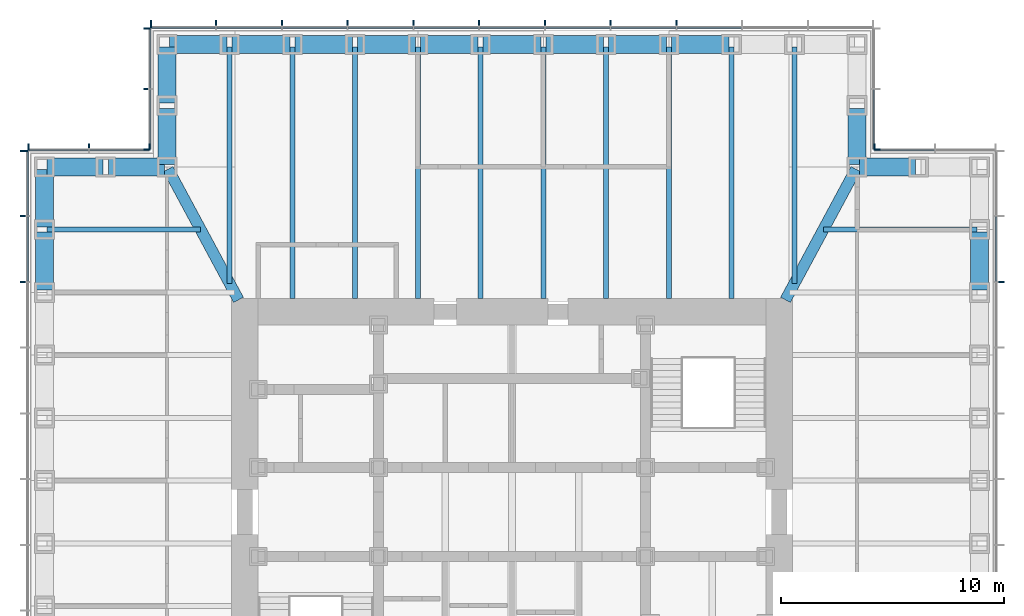
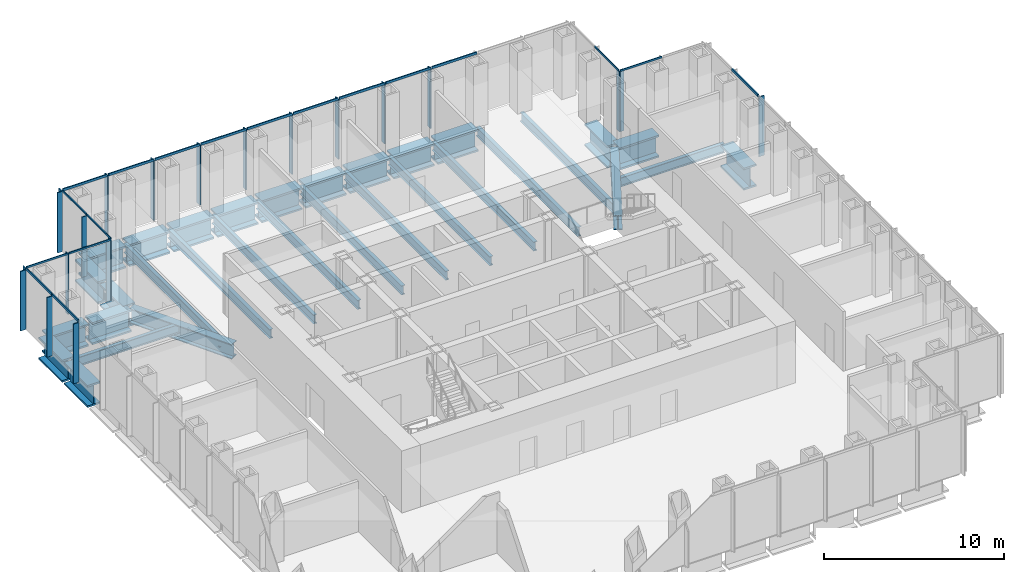
# One storey, part 5 of 16: 39 members, 32 beams, 7 elements without a shape of their own.
"""IFC4 building model written with IfcOpenShell, lengths in metres."""

from ifc_helpers import new_model, si_unit, direction, frame, origin, origin_2d, place, context, subcontext, project, spatial, rectangle, i_section, extrude, material, material_profile, profile_set, type_object, element, aggregate, save


model = new_model("IFC4")

# Units and contexts
model_context = context("Model", 3, precision=1e-05, world=origin(), true_north=direction((0.0, 1.0)))
body_context = subcontext(model_context, "Body", "Model", "MODEL_VIEW")
ifc_project = project(units=[si_unit("LENGTHUNIT", "METRE"), si_unit("AREAUNIT", "SQUARE_METRE"), si_unit("VOLUMEUNIT", "CUBIC_METRE"), si_unit("PLANEANGLEUNIT", "RADIAN"), si_unit("MASSUNIT", "GRAM", prefix="KILO")], contexts=[model_context])

# Site, building, storey
site_placement = place(None, origin())
site = spatial("IfcSite", under=ifc_project, at=site_placement, CompositionType="ELEMENT")
building_placement = place(site_placement, origin())
building = spatial("IfcBuilding", under=site, at=building_placement, Name="Daluyong Arena Tower", CompositionType="ELEMENT")
storey_placement = place(building_placement, frame((0.0, 0.0, 189.699951171875)))
storey = spatial("IfcBuildingStorey", under=building, at=storey_placement, Name="L42", CompositionType="ELEMENT", Elevation=189.699951171875)

# Curtain wall, member
ifc_material_1 = material(Name="Bronze anodised aluminium and glass", Category="aluminium")
curtain_wall_type_1 = type_object("IfcCurtainWallType", Name="Curtain wall CW3", PredefinedType="USERDEFINED", material=ifc_material_1)
curtain_wall_1_placement = place(storey_placement, origin())
curtain_wall_1 = element("IfcCurtainWall", 1, at=curtain_wall_1_placement, inside=storey, type_object=curtain_wall_type_1, Name="curtain wall L42 E", ObjectType="UNITISED CURTAIN WALL", PredefinedType="USERDEFINED")
ifc_material_2 = material(Name="Bronze anodised aluminium fin", Category="aluminium")
ifc_material_profile_1 = material_profile(ifc_material_2, rectangle(XDim=0.35009765625, YDim=0.070068359375, at=origin_2d()))
ifc_profile_set_1 = profile_set([ifc_material_profile_1], Name="Bronze anodised aluminium fin")
member_type_1 = type_object("IfcMemberType", Name="CW3 bronze fin 350x70", PredefinedType="MULLION", material=ifc_profile_set_1)
member_1_placement = place(storey_placement, frame((77.925048828125, 90.3408203125, 0.0), z_axis=(0.0, 0.0, 1.0), x_axis=(-1.0, 0.0, 0.0)))
member_1 = element("IfcMember", 2, at=member_1_placement, type_object=member_type_1, Name="curtain wall L42 E fin 10", PredefinedType="MULLION", context=body_context, shape_type="SweptSolid", body=[
    extrude(rectangle(XDim=0.35009765625, YDim=0.070068359375, at=origin_2d()), origin(), (0.0, 0.0, 1.0), 4.0400390625),
])

# Curtain wall, members
curtain_wall_2_placement = place(storey_placement, origin())
curtain_wall_2 = element("IfcCurtainWall", 3, at=curtain_wall_2_placement, inside=storey, type_object=curtain_wall_type_1, Name="curtain wall L42 N", ObjectType="UNITISED CURTAIN WALL", PredefinedType="USERDEFINED")
member_2_placement = place(storey_placement, frame((63.386474609375, 101.925048828125, 0.0), z_axis=(0.0, 0.0, 1.0), x_axis=(0.0, -1.0, 0.0)))
member_2 = element("IfcMember", 4, at=member_2_placement, type_object=member_type_1, Name="curtain wall L42 N fin 4", PredefinedType="MULLION", context=body_context, shape_type="SweptSolid", body=[
    extrude(rectangle(XDim=0.35009765625, YDim=0.070068359375, at=origin_2d()), origin(), (0.0, 0.0, 1.0), 4.0400390625),
])
member_3_placement = place(storey_placement, frame((60.431884765625, 101.925048828125, 0.0), z_axis=(0.0, 0.0, 1.0), x_axis=(0.0, -1.0, 0.0)))
member_3 = element("IfcMember", 5, at=member_3_placement, type_object=member_type_1, Name="curtain wall L42 N fin 5", PredefinedType="MULLION", context=body_context, shape_type="SweptSolid", body=[
    extrude(rectangle(XDim=0.35009765625, YDim=0.070068359375, at=origin_2d()), origin(), (0.0, 0.0, 1.0), 4.0400390625),
])
member_4_placement = place(storey_placement, frame((57.477294921875, 101.925048828125, 0.0), z_axis=(0.0, 0.0, 1.0), x_axis=(0.0, -1.0, 0.0)))
member_4 = element("IfcMember", 6, at=member_4_placement, type_object=member_type_1, Name="curtain wall L42 N fin 6", PredefinedType="MULLION", context=body_context, shape_type="SweptSolid", body=[
    extrude(rectangle(XDim=0.35009765625, YDim=0.070068359375, at=origin_2d()), origin(), (0.0, 0.0, 1.0), 4.0400390625),
])
member_5_placement = place(storey_placement, frame((54.522705078125, 101.925048828125, 0.0), z_axis=(0.0, 0.0, 1.0), x_axis=(0.0, -1.0, 0.0)))
member_5 = element("IfcMember", 7, at=member_5_placement, type_object=member_type_1, Name="curtain wall L42 N fin 7", PredefinedType="MULLION", context=body_context, shape_type="SweptSolid", body=[
    extrude(rectangle(XDim=0.35009765625, YDim=0.070068359375, at=origin_2d()), origin(), (0.0, 0.0, 1.0), 4.0400390625),
])
member_6_placement = place(storey_placement, frame((51.568115234375, 101.925048828125, 0.0), z_axis=(0.0, 0.0, 1.0), x_axis=(0.0, -1.0, 0.0)))
member_6 = element("IfcMember", 8, at=member_6_placement, type_object=member_type_1, Name="curtain wall L42 N fin 8", PredefinedType="MULLION", context=body_context, shape_type="SweptSolid", body=[
    extrude(rectangle(XDim=0.35009765625, YDim=0.070068359375, at=origin_2d()), origin(), (0.0, 0.0, 1.0), 4.0400390625),
])
member_7_placement = place(storey_placement, frame((48.613525390625, 101.925048828125, 0.0), z_axis=(0.0, 0.0, 1.0), x_axis=(0.0, -1.0, 0.0)))
member_7 = element("IfcMember", 9, at=member_7_placement, type_object=member_type_1, Name="curtain wall L42 N fin 9", PredefinedType="MULLION", context=body_context, shape_type="SweptSolid", body=[
    extrude(rectangle(XDim=0.35009765625, YDim=0.070068359375, at=origin_2d()), origin(), (0.0, 0.0, 1.0), 4.0400390625),
])
member_8_placement = place(storey_placement, frame((45.6591796875, 101.925048828125, 0.0), z_axis=(0.0, 0.0, 1.0), x_axis=(0.0, -1.0, 0.0)))
member_8 = element("IfcMember", 10, at=member_8_placement, type_object=member_type_1, Name="curtain wall L42 N fin 10", PredefinedType="MULLION", context=body_context, shape_type="SweptSolid", body=[
    extrude(rectangle(XDim=0.35009765625, YDim=0.070068359375, at=origin_2d()), origin(), (0.0, 0.0, 1.0), 4.0400390625),
])
member_9_placement = place(storey_placement, frame((42.70458984375, 101.925048828125, 0.0), z_axis=(0.0, 0.0, 1.0), x_axis=(0.0, -1.0, 0.0)))
member_9 = element("IfcMember", 11, at=member_9_placement, type_object=member_type_1, Name="curtain wall L42 N fin 11", PredefinedType="MULLION", context=body_context, shape_type="SweptSolid", body=[
    extrude(rectangle(XDim=0.35009765625, YDim=0.070068359375, at=origin_2d()), origin(), (0.0, 0.0, 1.0), 4.0400390625),
])
member_10_placement = place(storey_placement, frame((39.784912109375, 101.925048828125, 0.0), z_axis=(0.0, 0.0, 1.0), x_axis=(0.0, -1.0, 0.0)))
member_10 = element("IfcMember", 12, at=member_10_placement, type_object=member_type_1, Name="curtain wall L42 N fin 12", PredefinedType="MULLION", context=body_context, shape_type="SweptSolid", body=[
    extrude(rectangle(XDim=0.35009765625, YDim=0.070068359375, at=origin_2d()), origin(), (0.0, 0.0, 1.0), 4.0400390625),
])

curtain_wall_3_placement = place(storey_placement, origin())
curtain_wall_3 = element("IfcCurtainWall", 13, at=curtain_wall_3_placement, inside=storey, type_object=curtain_wall_type_1, Name="curtain wall L42 W", ObjectType="UNITISED CURTAIN WALL", PredefinedType="USERDEFINED")
member_11_placement = place(storey_placement, frame((34.074951171875, 96.215087890625, 0.0), z_axis=(0.0, 0.0, 1.0), x_axis=(1.0, 0.0, 0.0)))
member_11 = element("IfcMember", 14, at=member_11_placement, type_object=member_type_1, Name="curtain wall L42 W fin 1", PredefinedType="MULLION", context=body_context, shape_type="SweptSolid", body=[
    extrude(rectangle(XDim=0.35009765625, YDim=0.070068359375, at=origin_2d()), origin(), (0.0, 0.0, 1.0), 4.0400390625),
])
member_12_placement = place(storey_placement, frame((34.074951171875, 93.29541015625, 0.0), z_axis=(0.0, 0.0, 1.0), x_axis=(1.0, 0.0, 0.0)))
member_12 = element("IfcMember", 15, at=member_12_placement, type_object=member_type_1, Name="curtain wall L42 W fin 2", PredefinedType="MULLION", context=body_context, shape_type="SweptSolid", body=[
    extrude(rectangle(XDim=0.35009765625, YDim=0.070068359375, at=origin_2d()), origin(), (0.0, 0.0, 1.0), 4.0400390625),
])
member_13_placement = place(storey_placement, frame((34.074951171875, 90.3408203125, 0.0), z_axis=(0.0, 0.0, 1.0), x_axis=(1.0, 0.0, 0.0)))
member_13 = element("IfcMember", 16, at=member_13_placement, type_object=member_type_1, Name="curtain wall L42 W fin 3", PredefinedType="MULLION", context=body_context, shape_type="SweptSolid", body=[
    extrude(rectangle(XDim=0.35009765625, YDim=0.070068359375, at=origin_2d()), origin(), (0.0, 0.0, 1.0), 4.0400390625),
])

# Member
ifc_material_3 = material(Name="Bronze anodised aluminium", Category="aluminium")
ifc_material_profile_2 = material_profile(ifc_material_3, rectangle(XDim=0.070068359375, YDim=0.159912109375, at=origin_2d()))
ifc_profile_set_2 = profile_set([ifc_material_profile_2], Name="Bronze anodised aluminium")
member_type_2 = type_object("IfcMemberType", Name="CW3 stack transom 160x70", PredefinedType="USERDEFINED", material=ifc_profile_set_2)
member_14_placement = place(storey_placement, frame((77.75, 90.3759765625, 4.1201171875), z_axis=(0.0, 1.0, 0.0), x_axis=(-1.0, 0.0, 0.0)))
member_14 = element("IfcMember", 17, at=member_14_placement, type_object=member_type_2, Name="curtain wall L42 E transom 10", ObjectType="TRANSOM", PredefinedType="USERDEFINED", context=body_context, shape_type="SweptSolid", body=[
    extrude(rectangle(XDim=0.070068359375, YDim=0.159912109375, at=origin_2d()), origin(), (0.0, 0.0, 1.0), 2.884521484375),
])

aggregate(curtain_wall_1, [member_1, member_14])

member_15_placement = place(storey_placement, frame((66.305908203125, 101.75, 4.1201171875), z_axis=(-1.0, 0.0, 0.0), x_axis=(0.0, -1.0, 0.0)))
member_15 = element("IfcMember", 18, at=member_15_placement, type_object=member_type_2, Name="curtain wall L42 N transom 3", ObjectType="TRANSOM", PredefinedType="USERDEFINED", context=body_context, shape_type="SweptSolid", body=[
    extrude(rectangle(XDim=0.070068359375, YDim=0.159912109375, at=origin_2d()), origin(), (0.0, 0.0, 1.0), 2.884521484375),
])

member_16_placement = place(storey_placement, frame((63.351318359375, 101.75, 4.1201171875), z_axis=(-1.0, 0.0, 0.0), x_axis=(0.0, -1.0, 0.0)))
member_16 = element("IfcMember", 19, at=member_16_placement, type_object=member_type_2, Name="curtain wall L42 N transom 4", ObjectType="TRANSOM", PredefinedType="USERDEFINED", context=body_context, shape_type="SweptSolid", body=[
    extrude(rectangle(XDim=0.070068359375, YDim=0.159912109375, at=origin_2d()), origin(), (0.0, 0.0, 1.0), 2.884521484375),
])

member_17_placement = place(storey_placement, frame((60.396728515625, 101.75, 4.1201171875), z_axis=(-1.0, 0.0, 0.0), x_axis=(0.0, -1.0, 0.0)))
member_17 = element("IfcMember", 20, at=member_17_placement, type_object=member_type_2, Name="curtain wall L42 N transom 5", ObjectType="TRANSOM", PredefinedType="USERDEFINED", context=body_context, shape_type="SweptSolid", body=[
    extrude(rectangle(XDim=0.070068359375, YDim=0.159912109375, at=origin_2d()), origin(), (0.0, 0.0, 1.0), 2.884521484375),
])

member_18_placement = place(storey_placement, frame((57.4423828125, 101.75, 4.1201171875), z_axis=(-1.0, 0.0, 0.0), x_axis=(0.0, -1.0, 0.0)))
member_18 = element("IfcMember", 21, at=member_18_placement, type_object=member_type_2, Name="curtain wall L42 N transom 6", ObjectType="TRANSOM", PredefinedType="USERDEFINED", context=body_context, shape_type="SweptSolid", body=[
    extrude(rectangle(XDim=0.070068359375, YDim=0.159912109375, at=origin_2d()), origin(), (0.0, 0.0, 1.0), 2.884765625),
])

member_19_placement = place(storey_placement, frame((54.48779296875, 101.75, 4.1201171875), z_axis=(-1.0, 0.0, 0.0), x_axis=(0.0, -1.0, 0.0)))
member_19 = element("IfcMember", 22, at=member_19_placement, type_object=member_type_2, Name="curtain wall L42 N transom 7", ObjectType="TRANSOM", PredefinedType="USERDEFINED", context=body_context, shape_type="SweptSolid", body=[
    extrude(rectangle(XDim=0.070068359375, YDim=0.159912109375, at=origin_2d()), origin(), (0.0, 0.0, 1.0), 2.884521484375),
])

member_20_placement = place(storey_placement, frame((51.533203125, 101.75, 4.1201171875), z_axis=(-1.0, 0.0, 0.0), x_axis=(0.0, -1.0, 0.0)))
member_20 = element("IfcMember", 23, at=member_20_placement, type_object=member_type_2, Name="curtain wall L42 N transom 8", ObjectType="TRANSOM", PredefinedType="USERDEFINED", context=body_context, shape_type="SweptSolid", body=[
    extrude(rectangle(XDim=0.070068359375, YDim=0.159912109375, at=origin_2d()), origin(), (0.0, 0.0, 1.0), 2.884521484375),
])

member_21_placement = place(storey_placement, frame((48.57861328125, 101.75, 4.1201171875), z_axis=(-1.0, 0.0, 0.0), x_axis=(0.0, -1.0, 0.0)))
member_21 = element("IfcMember", 24, at=member_21_placement, type_object=member_type_2, Name="curtain wall L42 N transom 9", ObjectType="TRANSOM", PredefinedType="USERDEFINED", context=body_context, shape_type="SweptSolid", body=[
    extrude(rectangle(XDim=0.070068359375, YDim=0.159912109375, at=origin_2d()), origin(), (0.0, 0.0, 1.0), 2.884521484375),
])

member_22_placement = place(storey_placement, frame((45.6240234375, 101.75, 4.1201171875), z_axis=(-1.0, 0.0, 0.0), x_axis=(0.0, -1.0, 0.0)))
member_22 = element("IfcMember", 25, at=member_22_placement, type_object=member_type_2, Name="curtain wall L42 N transom 10", ObjectType="TRANSOM", PredefinedType="USERDEFINED", context=body_context, shape_type="SweptSolid", body=[
    extrude(rectangle(XDim=0.070068359375, YDim=0.159912109375, at=origin_2d()), origin(), (0.0, 0.0, 1.0), 2.884521484375),
])

member_23_placement = place(storey_placement, frame((42.66943359375, 101.75, 4.1201171875), z_axis=(-1.0, 0.0, 0.0), x_axis=(0.0, -1.0, 0.0)))
member_23 = element("IfcMember", 26, at=member_23_placement, type_object=member_type_2, Name="curtain wall L42 N transom 11", ObjectType="TRANSOM", PredefinedType="USERDEFINED", context=body_context, shape_type="SweptSolid", body=[
    extrude(rectangle(XDim=0.070068359375, YDim=0.159912109375, at=origin_2d()), origin(), (0.0, 0.0, 1.0), 2.849365234375),
])

aggregate(curtain_wall_2, [member_2, member_3, member_4, member_5, member_6, member_7, member_8, member_9, member_10, member_15, member_16, member_17, member_18, member_19, member_20, member_21, member_22, member_23])

member_24_placement = place(storey_placement, frame((34.25, 96.179931640625, 4.1201171875), z_axis=(0.0, -1.0, 0.0), x_axis=(1.0, 0.0, 0.0)))
member_24 = element("IfcMember", 27, at=member_24_placement, type_object=member_type_2, Name="curtain wall L42 W transom 1", ObjectType="TRANSOM", PredefinedType="USERDEFINED", context=body_context, shape_type="SweptSolid", body=[
    extrude(rectangle(XDim=0.070068359375, YDim=0.159912109375, at=origin_2d()), origin(), (0.0, 0.0, 1.0), 2.849365234375),
])

member_25_placement = place(storey_placement, frame((34.25, 93.260498046875, 4.1201171875), z_axis=(0.0, -1.0, 0.0), x_axis=(1.0, 0.0, 0.0)))
member_25 = element("IfcMember", 28, at=member_25_placement, type_object=member_type_2, Name="curtain wall L42 W transom 2", ObjectType="TRANSOM", PredefinedType="USERDEFINED", context=body_context, shape_type="SweptSolid", body=[
    extrude(rectangle(XDim=0.070068359375, YDim=0.159912109375, at=origin_2d()), origin(), (0.0, 0.0, 1.0), 2.884521484375),
])

aggregate(curtain_wall_3, [member_11, member_12, member_13, member_24, member_25])

# Curtain wall, member
ifc_material_4 = material(Name="Bronze anodised aluminium and glass", Category="aluminium")
curtain_wall_type_2 = type_object("IfcCurtainWallType", Name="Curtain wall CW7", PredefinedType="USERDEFINED", material=ifc_material_4)
curtain_wall_4_placement = place(storey_placement, origin())
curtain_wall_4 = element("IfcCurtainWall", 29, at=curtain_wall_4_placement, inside=storey, type_object=curtain_wall_type_2, Name="curtain wall L42 NE-N", ObjectType="UNITISED CURTAIN WALL", PredefinedType="USERDEFINED")
ifc_material_5 = material(Name="Bronze anodised aluminium fin", Category="aluminium")
ifc_material_profile_3 = material_profile(ifc_material_5, rectangle(XDim=0.300048828125, YDim=0.06005859375, at=origin_2d()))
ifc_profile_set_3 = profile_set([ifc_material_profile_3], Name="Bronze anodised aluminium fin")
member_type_3 = type_object("IfcMemberType", Name="CW7 bronze fin 300x60", PredefinedType="MULLION", material=ifc_profile_set_3)
member_26_placement = place(storey_placement, frame((72.280029296875, 96.39990234375, 0.0), z_axis=(0.0, 0.0, 1.0), x_axis=(0.0, -1.0, 0.0)))
member_26 = element("IfcMember", 30, at=member_26_placement, type_object=member_type_3, Name="curtain wall L42 NE-N fin 3", PredefinedType="MULLION", context=body_context, shape_type="SweptSolid", body=[
    extrude(rectangle(XDim=0.300048828125, YDim=0.06005859375, at=origin_2d()), origin(), (0.0, 0.0, 1.0), 4.080078125),
])

curtain_wall_5_placement = place(storey_placement, origin())
curtain_wall_5 = element("IfcCurtainWall", 31, at=curtain_wall_5_placement, inside=storey, type_object=curtain_wall_type_2, Name="curtain wall L42 NE-E", ObjectType="UNITISED CURTAIN WALL", PredefinedType="USERDEFINED")
member_27_placement = place(storey_placement, frame((72.39990234375, 96.280029296875, 0.0), z_axis=(0.0, 0.0, 1.0), x_axis=(-1.0, 0.0, 0.0)))
member_27 = element("IfcMember", 32, at=member_27_placement, type_object=member_type_3, Name="curtain wall L42 NE-E fin 1", PredefinedType="MULLION", context=body_context, shape_type="SweptSolid", body=[
    extrude(rectangle(XDim=0.300048828125, YDim=0.06005859375, at=origin_2d()), origin(), (0.0, 0.0, 1.0), 4.080078125),
])

# Curtain wall, members
curtain_wall_6_placement = place(storey_placement, origin())
curtain_wall_6 = element("IfcCurtainWall", 33, at=curtain_wall_6_placement, inside=storey, type_object=curtain_wall_type_2, Name="curtain wall L42 NW-W", ObjectType="UNITISED CURTAIN WALL", PredefinedType="USERDEFINED")
member_28_placement = place(storey_placement, frame((39.60009765625, 101.719970703125, 0.0), z_axis=(0.0, 0.0, 1.0), x_axis=(1.0, 0.0, 0.0)))
member_28 = element("IfcMember", 34, at=member_28_placement, type_object=member_type_3, Name="curtain wall L42 NW-W fin 1", PredefinedType="MULLION", context=body_context, shape_type="SweptSolid", body=[
    extrude(rectangle(XDim=0.300048828125, YDim=0.06005859375, at=origin_2d()), origin(), (0.0, 0.0, 1.0), 4.080078125),
])
member_29_placement = place(storey_placement, frame((39.60009765625, 99.0, 0.0), z_axis=(0.0, 0.0, 1.0), x_axis=(1.0, 0.0, 0.0)))
member_29 = element("IfcMember", 35, at=member_29_placement, type_object=member_type_3, Name="curtain wall L42 NW-W fin 2", PredefinedType="MULLION", context=body_context, shape_type="SweptSolid", body=[
    extrude(rectangle(XDim=0.300048828125, YDim=0.06005859375, at=origin_2d()), origin(), (0.0, 0.0, 1.0), 4.080078125),
])
member_30_placement = place(storey_placement, frame((39.60009765625, 96.280029296875, 0.0), z_axis=(0.0, 0.0, 1.0), x_axis=(1.0, 0.0, 0.0)))
member_30 = element("IfcMember", 36, at=member_30_placement, type_object=member_type_3, Name="curtain wall L42 NW-W fin 3", PredefinedType="MULLION", context=body_context, shape_type="SweptSolid", body=[
    extrude(rectangle(XDim=0.300048828125, YDim=0.06005859375, at=origin_2d()), origin(), (0.0, 0.0, 1.0), 4.080078125),
])

curtain_wall_7_placement = place(storey_placement, origin())
curtain_wall_7 = element("IfcCurtainWall", 37, at=curtain_wall_7_placement, inside=storey, type_object=curtain_wall_type_2, Name="curtain wall L42 NW-N", ObjectType="UNITISED CURTAIN WALL", PredefinedType="USERDEFINED")
member_31_placement = place(storey_placement, frame((39.719970703125, 96.39990234375, 0.0), z_axis=(0.0, 0.0, 1.0), x_axis=(0.0, -1.0, 0.0)))
member_31 = element("IfcMember", 38, at=member_31_placement, type_object=member_type_3, Name="curtain wall L42 NW-N fin 1", PredefinedType="MULLION", context=body_context, shape_type="SweptSolid", body=[
    extrude(rectangle(XDim=0.300048828125, YDim=0.06005859375, at=origin_2d()), origin(), (0.0, 0.0, 1.0), 4.080078125),
])
member_32_placement = place(storey_placement, frame((37.0, 96.39990234375, 0.0), z_axis=(0.0, 0.0, 1.0), x_axis=(0.0, -1.0, 0.0)))
member_32 = element("IfcMember", 39, at=member_32_placement, type_object=member_type_3, Name="curtain wall L42 NW-N fin 2", PredefinedType="MULLION", context=body_context, shape_type="SweptSolid", body=[
    extrude(rectangle(XDim=0.300048828125, YDim=0.06005859375, at=origin_2d()), origin(), (0.0, 0.0, 1.0), 4.080078125),
])
member_33_placement = place(storey_placement, frame((34.280029296875, 96.39990234375, 0.0), z_axis=(0.0, 0.0, 1.0), x_axis=(0.0, -1.0, 0.0)))
member_33 = element("IfcMember", 40, at=member_33_placement, type_object=member_type_3, Name="curtain wall L42 NW-N fin 3", PredefinedType="MULLION", context=body_context, shape_type="SweptSolid", body=[
    extrude(rectangle(XDim=0.300048828125, YDim=0.06005859375, at=origin_2d()), origin(), (0.0, 0.0, 1.0), 4.080078125),
])

# Member
ifc_material_6 = material(Name="Bronze anodised aluminium", Category="aluminium")
ifc_material_profile_4 = material_profile(ifc_material_6, rectangle(XDim=0.06005859375, YDim=0.1201171875, at=origin_2d()))
ifc_profile_set_4 = profile_set([ifc_material_profile_4], Name="Bronze anodised aluminium")
member_type_4 = type_object("IfcMemberType", Name="CW7 stack transom 120x60", PredefinedType="USERDEFINED", material=ifc_profile_set_4)
member_34_placement = place(storey_placement, frame((74.969970703125, 96.25, 4.14013671875), z_axis=(-1.0, 0.0, 0.0), x_axis=(0.0, -1.0, 0.0)))
member_34 = element("IfcMember", 41, at=member_34_placement, type_object=member_type_4, Name="curtain wall L42 NE-N transom 2", ObjectType="TRANSOM", PredefinedType="USERDEFINED", context=body_context, shape_type="SweptSolid", body=[
    extrude(rectangle(XDim=0.06005859375, YDim=0.1201171875, at=origin_2d()), origin(), (0.0, 0.0, 1.0), 2.659912109375),
])

aggregate(curtain_wall_4, [member_26, member_34])

member_35_placement = place(storey_placement, frame((72.25, 96.31005859375, 4.14013671875), z_axis=(0.0, 1.0, 0.0), x_axis=(-1.0, 0.0, 0.0)))
member_35 = element("IfcMember", 42, at=member_35_placement, type_object=member_type_4, Name="curtain wall L42 NE-E transom 1", ObjectType="TRANSOM", PredefinedType="USERDEFINED", context=body_context, shape_type="SweptSolid", body=[
    extrude(rectangle(XDim=0.06005859375, YDim=0.1201171875, at=origin_2d()), origin(), (0.0, 0.0, 1.0), 2.659912109375),
])

aggregate(curtain_wall_5, [member_27, member_35])

member_36_placement = place(storey_placement, frame((39.75, 101.68994140625, 4.14013671875), z_axis=(0.0, -1.0, 0.0), x_axis=(1.0, 0.0, 0.0)))
member_36 = element("IfcMember", 43, at=member_36_placement, type_object=member_type_4, Name="curtain wall L42 NW-W transom 1", ObjectType="TRANSOM", PredefinedType="USERDEFINED", context=body_context, shape_type="SweptSolid", body=[
    extrude(rectangle(XDim=0.06005859375, YDim=0.1201171875, at=origin_2d()), origin(), (0.0, 0.0, 1.0), 2.659912109375),
])

member_37_placement = place(storey_placement, frame((39.75, 98.969970703125, 4.14013671875), z_axis=(0.0, -1.0, 0.0), x_axis=(1.0, 0.0, 0.0)))
member_37 = element("IfcMember", 44, at=member_37_placement, type_object=member_type_4, Name="curtain wall L42 NW-W transom 2", ObjectType="TRANSOM", PredefinedType="USERDEFINED", context=body_context, shape_type="SweptSolid", body=[
    extrude(rectangle(XDim=0.06005859375, YDim=0.1201171875, at=origin_2d()), origin(), (0.0, 0.0, 1.0), 2.659912109375),
])

aggregate(curtain_wall_6, [member_28, member_29, member_30, member_36, member_37])

member_38_placement = place(storey_placement, frame((39.68994140625, 96.25, 4.14013671875), z_axis=(-1.0, 0.0, 0.0), x_axis=(0.0, -1.0, 0.0)))
member_38 = element("IfcMember", 45, at=member_38_placement, type_object=member_type_4, Name="curtain wall L42 NW-N transom 1", ObjectType="TRANSOM", PredefinedType="USERDEFINED", context=body_context, shape_type="SweptSolid", body=[
    extrude(rectangle(XDim=0.06005859375, YDim=0.1201171875, at=origin_2d()), origin(), (0.0, 0.0, 1.0), 2.659912109375),
])

member_39_placement = place(storey_placement, frame((36.969970703125, 96.25, 4.14013671875), z_axis=(-1.0, 0.0, 0.0), x_axis=(0.0, -1.0, 0.0)))
member_39 = element("IfcMember", 46, at=member_39_placement, type_object=member_type_4, Name="curtain wall L42 NW-N transom 2", ObjectType="TRANSOM", PredefinedType="USERDEFINED", context=body_context, shape_type="SweptSolid", body=[
    extrude(rectangle(XDim=0.06005859375, YDim=0.1201171875, at=origin_2d()), origin(), (0.0, 0.0, 1.0), 2.659912109375),
])

aggregate(curtain_wall_7, [member_31, member_32, member_33, member_38, member_39])

# Beams
ifc_material_7 = material(Name="Steel ASTM A572 Grade 50", Category="steel")
ifc_material_profile_5 = material_profile(ifc_material_7, i_section(OverallWidth=0.5, OverallDepth=1.0, WebThickness=0.03, FlangeThickness=0.06, at=origin_2d()))
ifc_profile_set_5 = profile_set([ifc_material_profile_5], Name="Steel ASTM A572 Grade 50")
beam_type_1 = type_object("IfcBeamType", Name="Corner girder TB1000X500", PredefinedType="BEAM", material=ifc_profile_set_5)
for number, where, z_axis, x_axis, name in (
    (47, (71.445556640625, 95.398681640625, -0.659912109375), (-0.474119475266, -0.880460517669, 0.0), (0.880460517669, -0.474119475266, 0.0), "corner girder DG2"),
    (48, (40.554443359375, 95.398681640625, -0.659912109375), (0.474119475266, -0.880460517669, 0.0), (0.880460517669, 0.474119475266, 0.0), "corner girder DG2"),
):
    element("IfcBeam", number, at=place(storey_placement, frame(where, z_axis=z_axis, x_axis=x_axis)), inside=storey, type_object=beam_type_1, Name=name, PredefinedType="BEAM", context=body_context, shape_type="SweptSolid", body=[
        extrude(i_section(OverallWidth=0.5, OverallDepth=1.0, WebThickness=0.03, FlangeThickness=0.06, at=origin_2d()), origin(), (0.0, 0.0, 1.0), 6.66748046875),
    ])
ifc_material_8 = material(Name="Steel ASTM A992 Grade 50", Category="steel")
ifc_material_profile_6 = material_profile(ifc_material_8, i_section(OverallWidth=0.22900390625, OverallDepth=0.612060546875, WebThickness=0.011962890625, FlangeThickness=0.01953125, at=origin_2d()))
ifc_profile_set_6 = profile_set([ifc_material_profile_6], Name="Steel ASTM A992 Grade 50")
beam_type_2 = type_object("IfcBeamType", Name="Floor beam W24X84", PredefinedType="BEAM", material=ifc_profile_set_6)
beam_1_placement = place(storey_placement, frame((76.885009765625, 92.681884765625, -0.466064453125), z_axis=(-1.0, 0.0, 0.0), x_axis=(0.0, -1.0, 0.0)))
element("IfcBeam", 49, at=beam_1_placement, inside=storey, type_object=beam_type_2, Name="floor beam FB3", PredefinedType="BEAM", context=body_context, shape_type="SweptSolid", body=[
    extrude(i_section(OverallWidth=0.22900390625, OverallDepth=0.612060546875, WebThickness=0.011962890625, FlangeThickness=0.01953125, at=origin_2d()), origin(), (0.0, 0.0, 1.0), 6.902587890625),
])
beam_2_placement = place(storey_placement, frame((68.681884765625, 100.885009765625, -0.466064453125), z_axis=(0.0, -1.0, 0.0), x_axis=(1.0, 0.0, 0.0)))
element("IfcBeam", 50, at=beam_2_placement, inside=storey, type_object=beam_type_2, Name="floor beam FB3", PredefinedType="BEAM", context=body_context, shape_type="SweptSolid", body=[
    extrude(i_section(OverallWidth=0.22900390625, OverallDepth=0.612060546875, WebThickness=0.011962890625, FlangeThickness=0.01953125, at=origin_2d()), origin(), (0.0, 0.0, 1.0), 10.618896484375),
])
for number, where, z_axis, x_axis, name in (
    (51, (65.863525390625, 100.885009765625, -0.466064453125), (0.0, -1.0, 0.0), (1.0, 0.0, 0.0), "floor beam FB3"),
    (52, (63.04541015625, 100.885009765625, -0.466064453125), (0.0, -1.0, 0.0), (1.0, 0.0, 0.0), "floor beam FB3"),
    (53, (60.227294921875, 100.885009765625, -0.466064453125), (0.0, -1.0, 0.0), (1.0, 0.0, 0.0), "floor beam FB3"),
    (54, (57.4091796875, 100.885009765625, -0.466064453125), (0.0, -1.0, 0.0), (1.0, 0.0, 0.0), "floor beam FB3"),
    (55, (54.5908203125, 100.885009765625, -0.466064453125), (0.0, -1.0, 0.0), (1.0, 0.0, 0.0), "floor beam FB3"),
    (56, (51.772705078125, 100.885009765625, -0.466064453125), (0.0, -1.0, 0.0), (1.0, 0.0, 0.0), "floor beam FB3"),
    (57, (48.95458984375, 100.885009765625, -0.466064453125), (0.0, -1.0, 0.0), (1.0, 0.0, 0.0), "floor beam FB3"),
    (58, (46.136474609375, 100.885009765625, -0.466064453125), (0.0, -1.0, 0.0), (1.0, 0.0, 0.0), "floor beam FB3"),
):
    element("IfcBeam", number, at=place(storey_placement, frame(where, z_axis=z_axis, x_axis=x_axis)), inside=storey, type_object=beam_type_2, Name=name, PredefinedType="BEAM", context=body_context, shape_type="SweptSolid", body=[
        extrude(i_section(OverallWidth=0.22900390625, OverallDepth=0.612060546875, WebThickness=0.011962890625, FlangeThickness=0.01953125, at=origin_2d()), origin(), (0.0, 0.0, 1.0), 11.284912109375),
    ])
beam_3_placement = place(storey_placement, frame((43.318115234375, 100.885009765625, -0.466064453125), z_axis=(0.0, -1.0, 0.0), x_axis=(1.0, 0.0, 0.0)))
element("IfcBeam", 59, at=beam_3_placement, inside=storey, type_object=beam_type_2, Name="floor beam FB3", PredefinedType="BEAM", context=body_context, shape_type="SweptSolid", body=[
    extrude(i_section(OverallWidth=0.22900390625, OverallDepth=0.612060546875, WebThickness=0.011962890625, FlangeThickness=0.01953125, at=origin_2d()), origin(), (0.0, 0.0, 1.0), 10.618896484375),
])
beam_4_placement = place(storey_placement, frame((35.114990234375, 92.681884765625, -0.466064453125), z_axis=(1.0, 0.0, 0.0), x_axis=(0.0, 1.0, 0.0)))
element("IfcBeam", 60, at=beam_4_placement, inside=storey, type_object=beam_type_2, Name="floor beam FB3", PredefinedType="BEAM", context=body_context, shape_type="SweptSolid", body=[
    extrude(i_section(OverallWidth=0.22900390625, OverallDepth=0.612060546875, WebThickness=0.011962890625, FlangeThickness=0.01953125, at=origin_2d()), origin(), (0.0, 0.0, 1.0), 6.902587890625),
])
ifc_material_9 = material(Name="Steel ASTM A588 Grade 50", Category="steel")
ifc_material_profile_7 = material_profile(ifc_material_9, i_section(OverallWidth=0.800048828125, OverallDepth=1.5, WebThickness=0.05, FlangeThickness=0.12, at=origin_2d()))
ifc_profile_set_7 = profile_set([ifc_material_profile_7], Name="Steel ASTM A588 Grade 50")
beam_type_3 = type_object("IfcBeamType", Name="Spandrel Z3 PG1500X800", PredefinedType="SPANDREL", material=ifc_profile_set_7)
beam_5_placement = place(storey_placement, frame((77.0, 89.978515625, -0.909912109375), z_axis=(0.0, 1.0, 0.0), x_axis=(-1.0, 0.0, 0.0)))
element("IfcBeam", 61, at=beam_5_placement, inside=storey, type_object=beam_type_3, Name="spandrel z3 SB7", PredefinedType="SPANDREL", context=body_context, shape_type="SweptSolid", body=[
    extrude(i_section(OverallWidth=0.800048828125, OverallDepth=1.5, WebThickness=0.05, FlangeThickness=0.12, at=origin_2d()), origin(), (0.0, 0.0, 1.0), 2.58837890625),
])
for number, where, z_axis, x_axis, name in (
    (62, (74.135009765625, 95.5, -0.909912109375), (-1.0, 0.0, 0.0), (0.0, -1.0, 0.0), "spandrel z3 SB7"),
    (63, (71.5, 95.614990234375, -0.909912109375), (0.0, 1.0, 0.0), (-1.0, 0.0, 0.0), "spandrel z3 SB7"),
):
    element("IfcBeam", number, at=place(storey_placement, frame(where, z_axis=z_axis, x_axis=x_axis)), inside=storey, type_object=beam_type_3, Name=name, PredefinedType="SPANDREL", context=body_context, shape_type="SweptSolid", body=[
        extrude(i_section(OverallWidth=0.800048828125, OverallDepth=1.5, WebThickness=0.05, FlangeThickness=0.12, at=origin_2d()), origin(), (0.0, 0.0, 1.0), 2.52001953125),
    ])
for number, where, z_axis, x_axis, name in (
    (64, (65.74853515625, 101.0, -0.909912109375), (-1.0, 0.0, 0.0), (0.0, -1.0, 0.0), "spandrel z3 SB7"),
    (65, (62.930419921875, 101.0, -0.909912109375), (-1.0, 0.0, 0.0), (0.0, -1.0, 0.0), "spandrel z3 SB7"),
    (66, (60.1123046875, 101.0, -0.909912109375), (-1.0, 0.0, 0.0), (0.0, -1.0, 0.0), "spandrel z3 SB7"),
):
    element("IfcBeam", number, at=place(storey_placement, frame(where, z_axis=z_axis, x_axis=x_axis)), inside=storey, type_object=beam_type_3, Name=name, PredefinedType="SPANDREL", context=body_context, shape_type="SweptSolid", body=[
        extrude(i_section(OverallWidth=0.800048828125, OverallDepth=1.5, WebThickness=0.05, FlangeThickness=0.12, at=origin_2d()), origin(), (0.0, 0.0, 1.0), 2.588134765625),
    ])
beam_6_placement = place(storey_placement, frame((57.294189453125, 101.0, -0.909912109375), z_axis=(-1.0, 0.0, 0.0), x_axis=(0.0, -1.0, 0.0)))
element("IfcBeam", 67, at=beam_6_placement, inside=storey, type_object=beam_type_3, Name="spandrel z3 SB7", PredefinedType="SPANDREL", context=body_context, shape_type="SweptSolid", body=[
    extrude(i_section(OverallWidth=0.800048828125, OverallDepth=1.5, WebThickness=0.05, FlangeThickness=0.12, at=origin_2d()), origin(), (0.0, 0.0, 1.0), 2.58837890625),
])
for number, where, z_axis, x_axis, name in (
    (68, (54.475830078125, 101.0, -0.909912109375), (-1.0, 0.0, 0.0), (0.0, -1.0, 0.0), "spandrel z3 SB7"),
    (69, (51.65771484375, 101.0, -0.909912109375), (-1.0, 0.0, 0.0), (0.0, -1.0, 0.0), "spandrel z3 SB7"),
    (70, (48.839599609375, 101.0, -0.909912109375), (-1.0, 0.0, 0.0), (0.0, -1.0, 0.0), "spandrel z3 SB7"),
):
    element("IfcBeam", number, at=place(storey_placement, frame(where, z_axis=z_axis, x_axis=x_axis)), inside=storey, type_object=beam_type_3, Name=name, PredefinedType="SPANDREL", context=body_context, shape_type="SweptSolid", body=[
        extrude(i_section(OverallWidth=0.800048828125, OverallDepth=1.5, WebThickness=0.05, FlangeThickness=0.12, at=origin_2d()), origin(), (0.0, 0.0, 1.0), 2.588134765625),
    ])
beam_7_placement = place(storey_placement, frame((46.021484375, 101.0, -0.909912109375), z_axis=(-1.0, 0.0, 0.0), x_axis=(0.0, -1.0, 0.0)))
element("IfcBeam", 71, at=beam_7_placement, inside=storey, type_object=beam_type_3, Name="spandrel z3 SB7", PredefinedType="SPANDREL", context=body_context, shape_type="SweptSolid", body=[
    extrude(i_section(OverallWidth=0.800048828125, OverallDepth=1.5, WebThickness=0.05, FlangeThickness=0.12, at=origin_2d()), origin(), (0.0, 0.0, 1.0), 2.58837890625),
])
beam_8_placement = place(storey_placement, frame((43.203125, 101.0, -0.909912109375), z_axis=(-1.0, 0.0, 0.0), x_axis=(0.0, -1.0, 0.0)))
element("IfcBeam", 72, at=beam_8_placement, inside=storey, type_object=beam_type_3, Name="spandrel z3 SB7", PredefinedType="SPANDREL", context=body_context, shape_type="SweptSolid", body=[
    extrude(i_section(OverallWidth=0.800048828125, OverallDepth=1.5, WebThickness=0.05, FlangeThickness=0.12, at=origin_2d()), origin(), (0.0, 0.0, 1.0), 2.588134765625),
])
for number, where, z_axis, x_axis, name in (
    (73, (40.5, 100.885009765625, -0.909912109375), (0.0, -1.0, 0.0), (1.0, 0.0, 0.0), "spandrel z3 SB7"),
    (74, (40.5, 98.135009765625, -0.909912109375), (0.0, -1.0, 0.0), (1.0, 0.0, 0.0), "spandrel z3 SB7"),
    (75, (40.385009765625, 95.5, -0.909912109375), (-1.0, 0.0, 0.0), (0.0, -1.0, 0.0), "spandrel z3 SB7"),
    (76, (37.635009765625, 95.5, -0.909912109375), (-1.0, 0.0, 0.0), (0.0, -1.0, 0.0), "spandrel z3 SB7"),
):
    element("IfcBeam", number, at=place(storey_placement, frame(where, z_axis=z_axis, x_axis=x_axis)), inside=storey, type_object=beam_type_3, Name=name, PredefinedType="SPANDREL", context=body_context, shape_type="SweptSolid", body=[
        extrude(i_section(OverallWidth=0.800048828125, OverallDepth=1.5, WebThickness=0.05, FlangeThickness=0.12, at=origin_2d()), origin(), (0.0, 0.0, 1.0), 2.52001953125),
    ])
beam_9_placement = place(storey_placement, frame((35.0, 95.385009765625, -0.909912109375), z_axis=(0.0, -1.0, 0.0), x_axis=(1.0, 0.0, 0.0)))
element("IfcBeam", 77, at=beam_9_placement, inside=storey, type_object=beam_type_3, Name="spandrel z3 SB7", PredefinedType="SPANDREL", context=body_context, shape_type="SweptSolid", body=[
    extrude(i_section(OverallWidth=0.800048828125, OverallDepth=1.5, WebThickness=0.05, FlangeThickness=0.12, at=origin_2d()), origin(), (0.0, 0.0, 1.0), 2.588134765625),
])
beam_10_placement = place(storey_placement, frame((35.0, 92.56689453125, -0.909912109375), z_axis=(0.0, -1.0, 0.0), x_axis=(1.0, 0.0, 0.0)))
element("IfcBeam", 78, at=beam_10_placement, inside=storey, type_object=beam_type_3, Name="spandrel z3 SB7", PredefinedType="SPANDREL", context=body_context, shape_type="SweptSolid", body=[
    extrude(i_section(OverallWidth=0.800048828125, OverallDepth=1.5, WebThickness=0.05, FlangeThickness=0.12, at=origin_2d()), origin(), (0.0, 0.0, 1.0), 2.58837890625),
])

save(model, "model.ifc")
